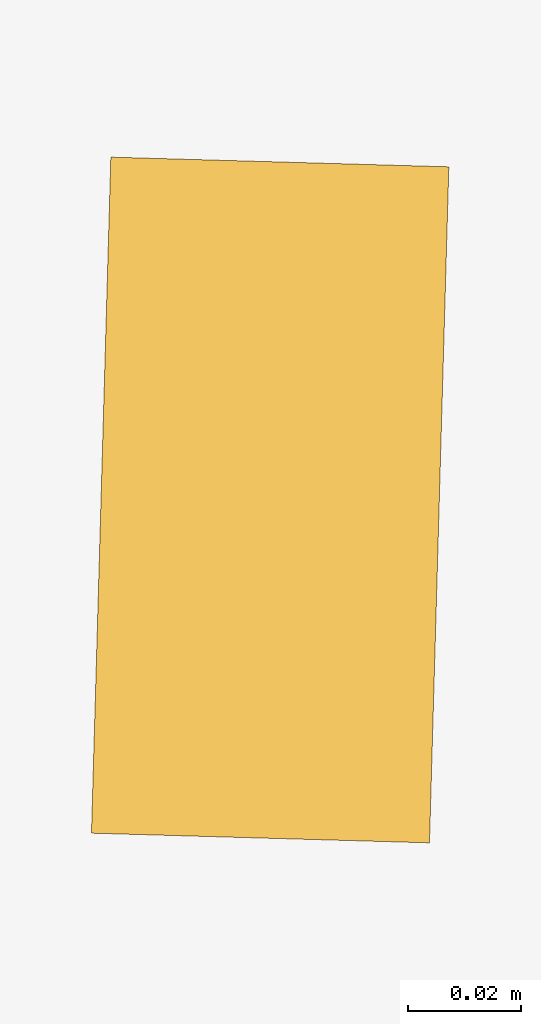
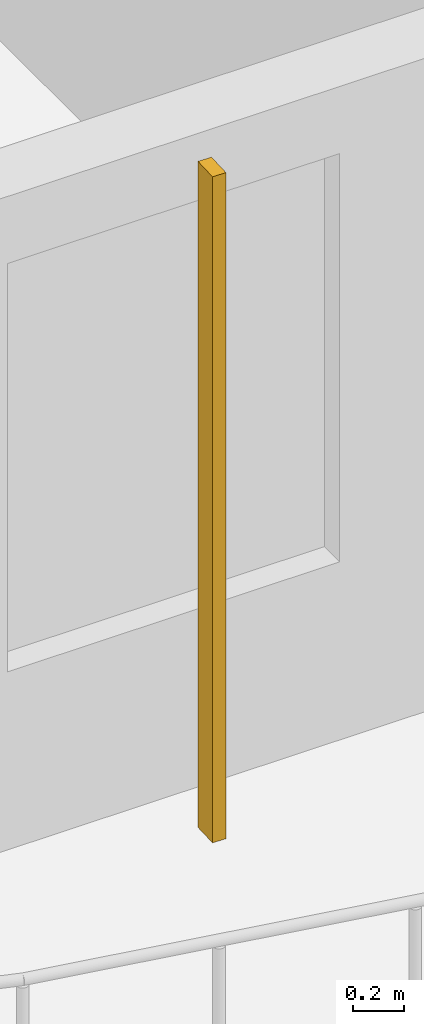
# One storey, part 15 of 21: 1 shading device.
"""IFC4 building model written with IfcOpenShell, lengths in metres."""

from ifc_helpers import new_model, si_unit, direction, frame, origin, origin_2d, place, context, subcontext, project, spatial, rectangle, extrude, source, transform, mapped, material, material_profile, profile_set, type_object, element, save


model = new_model("IFC4")

# Units and contexts
model_context = context("Model", 3, precision=1e-05, world=origin(), true_north=direction((0.0, 1.0)))
body_context = subcontext(model_context, "Body", "Model", "MODEL_VIEW")
ifc_project = project(units=[si_unit("LENGTHUNIT", "METRE"), si_unit("AREAUNIT", "SQUARE_METRE"), si_unit("VOLUMEUNIT", "CUBIC_METRE"), si_unit("PLANEANGLEUNIT", "RADIAN"), si_unit("MASSUNIT", "GRAM", prefix="KILO")], contexts=[model_context])

# Site, building, storey
site_placement = place(None, origin())
site = spatial("IfcSite", under=ifc_project, at=site_placement, CompositionType="ELEMENT")
building_placement = place(site_placement, origin())
building = spatial("IfcBuilding", under=site, at=building_placement, Name="Kilnfold Tower and Market Hall", CompositionType="ELEMENT")
storey_placement = place(building_placement, frame((0.0, 0.0, 216.89990234375)))
storey = spatial("IfcBuildingStorey", under=building, at=storey_placement, Name="L53", CompositionType="ELEMENT", Elevation=216.89990234375)

# Shading device
ifc_material = material(Name="Terracotta", Category="masonry")
ifc_material_profile = material_profile(ifc_material, rectangle(XDim=0.06005859375, YDim=0.1201171875, at=origin_2d()), Name="BAG 60x120")
ifc_profile_set = profile_set([ifc_material_profile], Name="Terracotta")
shading_device_type = type_object("IfcShadingDeviceType", Name="BAGUETTE", PredefinedType="USERDEFINED", material=ifc_profile_set)
shared_shape = source(origin(), body_context, "Body", "SweptSolid", [
    extrude(rectangle(XDim=0.06005859375, YDim=0.1201171875, at=origin_2d()), origin(), (0.0, 0.0, 1.0), 3.18017578125),
])
shading_device_placement = place(storey_placement, frame((10.5, -26.550048828125, 0.0), z_axis=(0.0, 0.0, 1.0), x_axis=(0.999590428411, -0.028617746758, 0.0)))
element("IfcShadingDevice", 1, at=shading_device_placement, inside=storey, type_object=shading_device_type, Name="Terracotta baguette L53 S", ObjectType="BAGUETTE", PredefinedType="USERDEFINED", context=body_context, shape_type="MappedRepresentation", body=[
    mapped(shared_shape, transform((0.0, 0.0, 0.0))),
])

save(model, "model.ifc")
